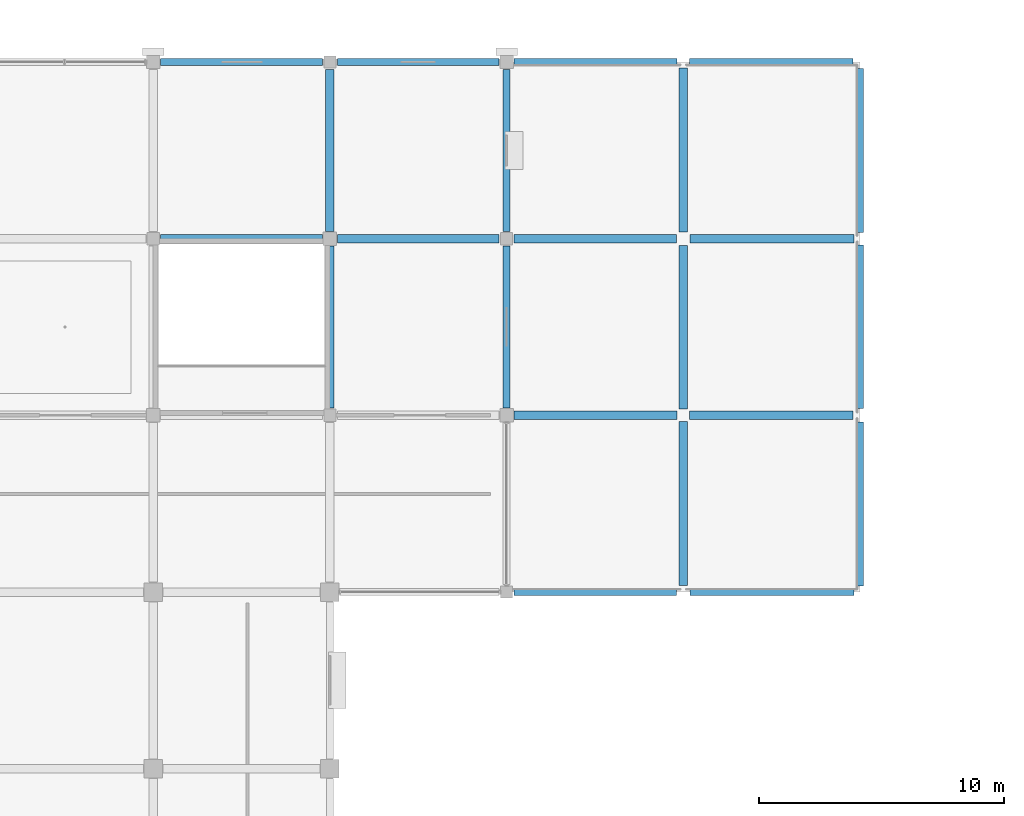
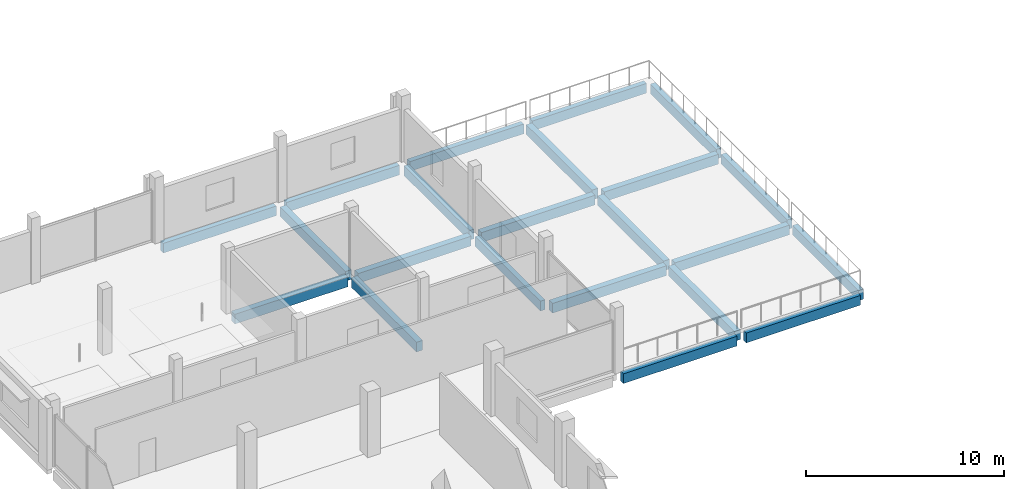
# One storey, part 23 of 91: 22 beams.
"""IFC4 building model written with IfcOpenShell, lengths in metres."""

from ifc_helpers import new_model, si_unit, direction, frame, origin, origin_2d, place, context, subcontext, project, spatial, rectangle, extrude, material, material_profile, profile_set, type_object, element, save


model = new_model("IFC4")

# Units and contexts
model_context = context("Model", 3, precision=1e-05, world=origin(), true_north=direction((0.0, 1.0)))
body_context = subcontext(model_context, "Body", "Model", "MODEL_VIEW")
ifc_project = project(units=[si_unit("LENGTHUNIT", "METRE"), si_unit("AREAUNIT", "SQUARE_METRE"), si_unit("VOLUMEUNIT", "CUBIC_METRE"), si_unit("PLANEANGLEUNIT", "RADIAN"), si_unit("MASSUNIT", "GRAM", prefix="KILO")], contexts=[model_context])

# Site, building, storey
site_placement = place(None, origin())
site = spatial("IfcSite", under=ifc_project, at=site_placement, CompositionType="ELEMENT")
building_placement = place(site_placement, origin())
building = spatial("IfcBuilding", under=site, at=building_placement, Name="Kangsadwip Square Police Headquarters", CompositionType="ELEMENT")
storey_placement = place(building_placement, frame((0.0, 0.0, 13.5)))
storey = spatial("IfcBuildingStorey", under=building, at=storey_placement, Name="L03", CompositionType="ELEMENT", Elevation=13.5)

# Beams
ifc_material_1 = material(Name="Concrete M35 (35 MPa)", Category="concrete")
ifc_material_profile_1 = material_profile(ifc_material_1, rectangle(XDim=0.35009765625, YDim=0.60009765625, at=origin_2d()), Name="RC BM 600X350")
ifc_profile_set_1 = profile_set([ifc_material_profile_1], Name="Concrete M35 (35 MPa)")
beam_type_1 = type_object("IfcBeamType", Name="RcBeam600x350", PredefinedType="BEAM", material=ifc_profile_set_1)
beam_1_placement = place(storey_placement, frame((29.10009765625, 100.800048828125, -0.5400390625), z_axis=(1.0, 0.0, 0.0), x_axis=(0.0, 1.0, 0.0)))
element("IfcBeam", 1, at=beam_1_placement, inside=storey, type_object=beam_type_1, Name="Beam BM-L03-X-04-14", PredefinedType="BEAM", context=body_context, shape_type="SweptSolid", body=[
    extrude(rectangle(XDim=0.35009765625, YDim=0.60009765625, at=origin_2d()), origin(), (0.0, 0.0, 1.0), 6.64990234375),
])
beam_2_placement = place(storey_placement, frame((36.25, 100.800048828125, -0.5400390625), z_axis=(1.0, 0.0, 0.0), x_axis=(0.0, 1.0, 0.0)))
element("IfcBeam", 2, at=beam_2_placement, inside=storey, type_object=beam_type_1, Name="Beam BM-L03-X-05-14", PredefinedType="BEAM", context=body_context, shape_type="SweptSolid", body=[
    extrude(rectangle(XDim=0.35009765625, YDim=0.60009765625, at=origin_2d()), origin(), (0.0, 0.0, 1.0), 6.675048828125),
])
beam_3_placement = place(storey_placement, frame((29.10009765625, 108.0, -0.5400390625), z_axis=(1.0, 0.0, 0.0), x_axis=(0.0, 1.0, 0.0)))
element("IfcBeam", 3, at=beam_3_placement, inside=storey, type_object=beam_type_1, Name="Beam BM-L03-X-04-15", PredefinedType="BEAM", context=body_context, shape_type="SweptSolid", body=[
    extrude(rectangle(XDim=0.35009765625, YDim=0.60009765625, at=origin_2d()), origin(), (0.0, 0.0, 1.0), 6.625),
])
for number, where, z_axis, x_axis, name in (
    (4, (36.27490234375, 108.0, -0.5400390625), (1.0, 0.0, 0.0), (0.0, 1.0, 0.0), "Beam BM-L03-X-05-15"),
    (5, (36.0, 93.875, -0.5400390625), (0.0, 1.0, 0.0), (-1.0, 0.0, 0.0), "Beam BM-L03-Y-05-13"),
    (6, (36.0, 101.050048828125, -0.5400390625), (0.0, 1.0, 0.0), (-1.0, 0.0, 0.0), "Beam BM-L03-Y-05-14"),
    (7, (36.0, 108.27490234375, -0.5400390625), (0.0, 1.0, 0.0), (-1.0, 0.0, 0.0), "Beam BM-L03-Y-05-15"),
):
    element("IfcBeam", number, at=place(storey_placement, frame(where, z_axis=z_axis, x_axis=x_axis)), inside=storey, type_object=beam_type_1, Name=name, PredefinedType="BEAM", context=body_context, shape_type="SweptSolid", body=[
        extrude(rectangle(XDim=0.35009765625, YDim=0.60009765625, at=origin_2d()), origin(), (0.0, 0.0, 1.0), 6.675048828125),
    ])
for number, where, z_axis, x_axis, name in (
    (8, (14.699951171875, 108.0, -0.5400390625), (1.0, 0.0, 0.0), (0.0, 1.0, 0.0), "Beam BM-L03-X-02-15"),
    (9, (21.89990234375, 108.0, -0.5400390625), (1.0, 0.0, 0.0), (0.0, 1.0, 0.0), "Beam BM-L03-X-03-15"),
):
    element("IfcBeam", number, at=place(storey_placement, frame(where, z_axis=z_axis, x_axis=x_axis)), inside=storey, type_object=beam_type_1, Name=name, PredefinedType="BEAM", context=body_context, shape_type="SweptSolid", body=[
        extrude(rectangle(XDim=0.35009765625, YDim=0.60009765625, at=origin_2d()), origin(), (0.0, 0.0, 1.0), 6.60009765625),
    ])
for number, where, z_axis, x_axis, name in (
    (10, (21.60009765625, 101.10009765625, -0.5400390625), (0.0, 1.0, 0.0), (-1.0, 0.0, 0.0), "Beam BM-L03-Y-03-14"),
    (11, (21.60009765625, 108.300048828125, -0.5400390625), (0.0, 1.0, 0.0), (-1.0, 0.0, 0.0), "Beam BM-L03-Y-03-15"),
):
    element("IfcBeam", number, at=place(storey_placement, frame(where, z_axis=z_axis, x_axis=x_axis)), inside=storey, type_object=beam_type_1, Name=name, PredefinedType="BEAM", context=body_context, shape_type="SweptSolid", body=[
        extrude(rectangle(XDim=0.35009765625, YDim=0.60009765625, at=origin_2d()), origin(), (0.0, 0.0, 1.0), 6.599853515625),
    ])
ifc_material_2 = material(Name="Concrete M40 (40 MPa)", Category="concrete")
ifc_material_profile_2 = material_profile(ifc_material_2, rectangle(XDim=0.280029296875, YDim=0.60009765625, at=origin_2d()), Name="RC SPN 600X280")
ifc_profile_set_2 = profile_set([ifc_material_profile_2], Name="Concrete M40 (40 MPa)")
beam_type_2 = type_object("IfcBeamType", Name="RcSpandrel600x280", PredefinedType="SPANDREL", material=ifc_profile_set_2)
beam_4_placement = place(storey_placement, frame((29.10009765625, 93.60009765625, -0.5400390625), z_axis=(1.0, 0.0, 0.0), x_axis=(0.0, 1.0, 0.0)))
element("IfcBeam", 12, at=beam_4_placement, inside=storey, type_object=beam_type_2, Name="Beam BM-L03-X-04-13", PredefinedType="SPANDREL", context=body_context, shape_type="SweptSolid", body=[
    extrude(rectangle(XDim=0.280029296875, YDim=0.60009765625, at=origin_2d()), origin(), (0.0, 0.0, 1.0), 6.625),
])
beam_5_placement = place(storey_placement, frame((36.27490234375, 93.60009765625, -0.5400390625), z_axis=(1.0, 0.0, 0.0), x_axis=(0.0, 1.0, 0.0)))
element("IfcBeam", 13, at=beam_5_placement, inside=storey, type_object=beam_type_2, Name="Beam BM-L03-X-05-13", PredefinedType="SPANDREL", context=body_context, shape_type="SweptSolid", body=[
    extrude(rectangle(XDim=0.280029296875, YDim=0.60009765625, at=origin_2d()), origin(), (0.0, 0.0, 1.0), 6.675048828125),
])
beam_6_placement = place(storey_placement, frame((29.10009765625, 115.199951171875, -0.5400390625), z_axis=(1.0, 0.0, 0.0), x_axis=(0.0, 1.0, 0.0)))
element("IfcBeam", 14, at=beam_6_placement, inside=storey, type_object=beam_type_2, Name="Beam BM-L03-X-04-16", PredefinedType="SPANDREL", context=body_context, shape_type="SweptSolid", body=[
    extrude(rectangle(XDim=0.280029296875, YDim=0.60009765625, at=origin_2d()), origin(), (0.0, 0.0, 1.0), 6.64990234375),
])
beam_7_placement = place(storey_placement, frame((36.25, 115.199951171875, -0.5400390625), z_axis=(1.0, 0.0, 0.0), x_axis=(0.0, 1.0, 0.0)))
element("IfcBeam", 15, at=beam_7_placement, inside=storey, type_object=beam_type_2, Name="Beam BM-L03-X-05-16", PredefinedType="SPANDREL", context=body_context, shape_type="SweptSolid", body=[
    extrude(rectangle(XDim=0.280029296875, YDim=0.60009765625, at=origin_2d()), origin(), (0.0, 0.0, 1.0), 6.675048828125),
])
for number, where, z_axis, x_axis, name in (
    (16, (28.800048828125, 101.10009765625, -0.5400390625), (0.0, 1.0, 0.0), (-1.0, 0.0, 0.0), "Beam BM-L03-Y-04-14"),
    (17, (28.800048828125, 108.300048828125, -0.5400390625), (0.0, 1.0, 0.0), (-1.0, 0.0, 0.0), "Beam BM-L03-Y-04-15"),
):
    element("IfcBeam", number, at=place(storey_placement, frame(where, z_axis=z_axis, x_axis=x_axis)), inside=storey, type_object=beam_type_2, Name=name, PredefinedType="SPANDREL", context=body_context, shape_type="SweptSolid", body=[
        extrude(rectangle(XDim=0.280029296875, YDim=0.60009765625, at=origin_2d()), origin(), (0.0, 0.0, 1.0), 6.599853515625),
    ])
beam_8_placement = place(storey_placement, frame((43.199951171875, 93.85009765625, -0.5400390625), z_axis=(0.0, 1.0, 0.0), x_axis=(-1.0, 0.0, 0.0)))
element("IfcBeam", 18, at=beam_8_placement, inside=storey, type_object=beam_type_2, Name="Beam BM-L03-Y-06-13", PredefinedType="SPANDREL", context=body_context, shape_type="SweptSolid", body=[
    extrude(rectangle(XDim=0.280029296875, YDim=0.60009765625, at=origin_2d()), origin(), (0.0, 0.0, 1.0), 6.6748046875),
])
for number, where, z_axis, x_axis, name in (
    (19, (43.199951171875, 101.074951171875, -0.5400390625), (0.0, 1.0, 0.0), (-1.0, 0.0, 0.0), "Beam BM-L03-Y-06-14"),
    (20, (43.199951171875, 108.25, -0.5400390625), (0.0, 1.0, 0.0), (-1.0, 0.0, 0.0), "Beam BM-L03-Y-06-15"),
):
    element("IfcBeam", number, at=place(storey_placement, frame(where, z_axis=z_axis, x_axis=x_axis)), inside=storey, type_object=beam_type_2, Name=name, PredefinedType="SPANDREL", context=body_context, shape_type="SweptSolid", body=[
        extrude(rectangle(XDim=0.280029296875, YDim=0.60009765625, at=origin_2d()), origin(), (0.0, 0.0, 1.0), 6.675048828125),
    ])
for number, where, z_axis, x_axis, name in (
    (21, (14.699951171875, 115.199951171875, -0.5400390625), (1.0, 0.0, 0.0), (0.0, 1.0, 0.0), "Beam BM-L03-X-02-16"),
    (22, (21.89990234375, 115.199951171875, -0.5400390625), (1.0, 0.0, 0.0), (0.0, 1.0, 0.0), "Beam BM-L03-X-03-16"),
):
    element("IfcBeam", number, at=place(storey_placement, frame(where, z_axis=z_axis, x_axis=x_axis)), inside=storey, type_object=beam_type_2, Name=name, PredefinedType="SPANDREL", context=body_context, shape_type="SweptSolid", body=[
        extrude(rectangle(XDim=0.280029296875, YDim=0.60009765625, at=origin_2d()), origin(), (0.0, 0.0, 1.0), 6.60009765625),
    ])

save(model, "model.ifc")
